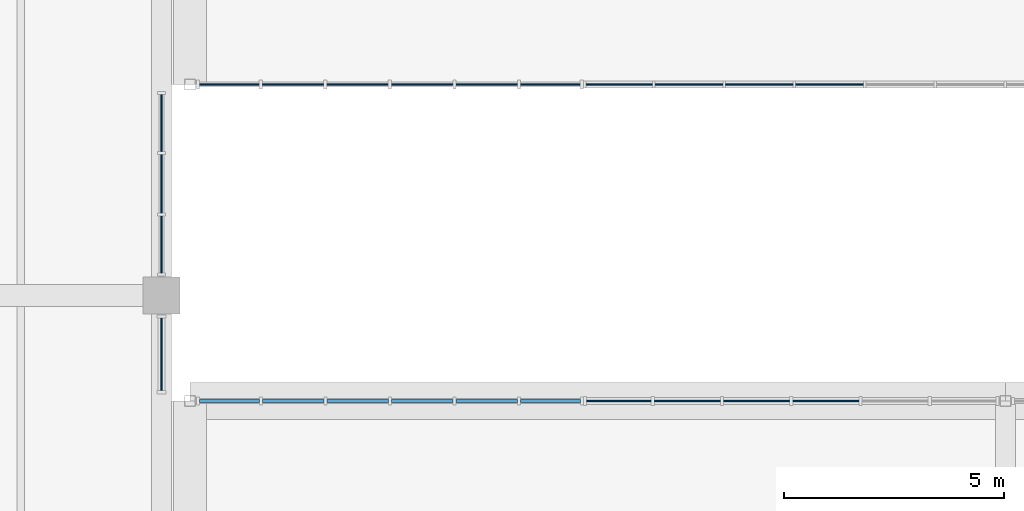
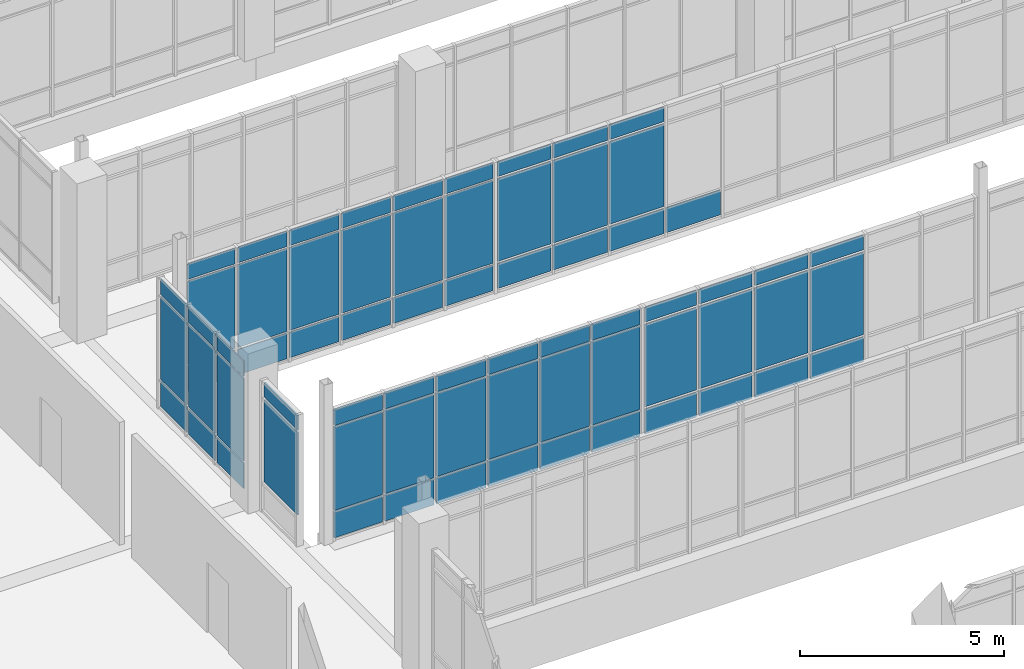
# One storey, part 98 of 152: 69 plates, 6 elements without a shape of their own.
"""IFC4 building model written with IfcOpenShell, lengths in metres."""

from ifc_helpers import new_model, si_unit, direction, frame, origin, origin_2d, place, context, subcontext, project, spatial, rectangle, extrude, material, layer, layer_set, type_object, element, aggregate, save


model = new_model("IFC4")

# Units and contexts
model_context = context("Model", 3, precision=1e-05, world=origin(), true_north=direction((0.0, 1.0)))
body_context = subcontext(model_context, "Body", "Model", "MODEL_VIEW")
ifc_project = project(units=[si_unit("LENGTHUNIT", "METRE"), si_unit("AREAUNIT", "SQUARE_METRE"), si_unit("VOLUMEUNIT", "CUBIC_METRE"), si_unit("PLANEANGLEUNIT", "RADIAN"), si_unit("MASSUNIT", "GRAM", prefix="KILO")], contexts=[model_context])

# Site, building, storey
site_placement = place(None, origin())
site = spatial("IfcSite", under=ifc_project, at=site_placement, CompositionType="ELEMENT")
building_placement = place(site_placement, origin())
building = spatial("IfcBuilding", under=site, at=building_placement, Name="Oolite Switchyard Hospital", CompositionType="ELEMENT")
storey_placement = place(building_placement, frame((0.0, 0.0, 5.10009765625)))
storey = spatial("IfcBuildingStorey", under=building, at=storey_placement, Name="L01", CompositionType="ELEMENT", Elevation=5.10009765625)

# Curtain wall, plates
ifc_material_1 = material(Name="Thermally broken aluminum frame with laminated impact glazing", Category="aluminium")
curtain_wall_type = type_object("IfcCurtainWallType", Name="CW-BRG-96X38", PredefinedType="USERDEFINED", material=ifc_material_1)
curtain_wall_1_placement = place(storey_placement, origin())
curtain_wall_1 = element("IfcCurtainWall", 1, at=curtain_wall_1_placement, inside=storey, type_object=curtain_wall_type, Name="L01 Unitised Curtain Wall 120", ObjectType="UNITISED", PredefinedType="USERDEFINED")
ifc_material_2 = material(Name="Insulated fluoropolymer-coated aluminum spandrel panel", Category="aluminium")
ifc_layer_1 = layer(ifc_material_2, 0.070068359375)
ifc_layer_set_1 = layer_set([ifc_layer_1], Name="CW-PNL-SPN70")
plate_type_1 = type_object("IfcPlateType", Name="CW-PNL-SPN70", PredefinedType="CURTAIN_PANEL", material=ifc_layer_set_1)
plate_1_placement = place(storey_placement, frame((145.54345703125, 39.60009765625, 0.06005859375), z_axis=(0.0, 0.0, 1.0), x_axis=(1.0, 0.0, 0.0)))
plate_1 = element("IfcPlate", 2, at=plate_1_placement, type_object=plate_type_1, Name="CW-12 panel 1.1", PredefinedType="CURTAIN_PANEL", context=body_context, shape_type="SweptSolid", body=[
    extrude(rectangle(XDim=1.363037109375, YDim=0.070068359375, at=origin_2d()), origin(), (0.0, 0.0, 1.0), 0.760009765625),
])
plate_2_placement = place(storey_placement, frame((145.54345703125, 39.60009765625, 0.8798828125), z_axis=(0.0, 0.0, 1.0), x_axis=(1.0, 0.0, 0.0)))
plate_2 = element("IfcPlate", 3, at=plate_2_placement, type_object=plate_type_1, Name="CW-12 panel 1.2", PredefinedType="CURTAIN_PANEL", context=body_context, shape_type="SweptSolid", body=[
    extrude(rectangle(XDim=1.363037109375, YDim=0.070068359375, at=origin_2d()), origin(), (0.0, 0.0, 1.0), 2.47998046875),
])
plate_3_placement = place(storey_placement, frame((145.54345703125, 39.60009765625, 3.419921875), z_axis=(0.0, 0.0, 1.0), x_axis=(1.0, 0.0, 0.0)))
plate_3 = element("IfcPlate", 4, at=plate_3_placement, type_object=plate_type_1, Name="CW-12 panel 1.3", PredefinedType="CURTAIN_PANEL", context=body_context, shape_type="SweptSolid", body=[
    extrude(rectangle(XDim=1.363037109375, YDim=0.070068359375, at=origin_2d()), origin(), (0.0, 0.0, 1.0), 0.4599609375),
])
plate_4_placement = place(storey_placement, frame((146.993896484375, 39.60009765625, 0.06005859375), z_axis=(0.0, 0.0, 1.0), x_axis=(1.0, 0.0, 0.0)))
plate_4 = element("IfcPlate", 5, at=plate_4_placement, type_object=plate_type_1, Name="CW-12 panel 2.1", PredefinedType="CURTAIN_PANEL", context=body_context, shape_type="SweptSolid", body=[
    extrude(rectangle(XDim=1.39794921875, YDim=0.070068359375, at=origin_2d()), origin(), (0.0, 0.0, 1.0), 0.760009765625),
])
plate_5_placement = place(storey_placement, frame((146.993896484375, 39.60009765625, 0.8798828125), z_axis=(0.0, 0.0, 1.0), x_axis=(1.0, 0.0, 0.0)))
plate_5 = element("IfcPlate", 6, at=plate_5_placement, type_object=plate_type_1, Name="CW-12 panel 2.2", PredefinedType="CURTAIN_PANEL", context=body_context, shape_type="SweptSolid", body=[
    extrude(rectangle(XDim=1.39794921875, YDim=0.070068359375, at=origin_2d()), origin(), (0.0, 0.0, 1.0), 2.47998046875),
])
plate_6_placement = place(storey_placement, frame((146.993896484375, 39.60009765625, 3.419921875), z_axis=(0.0, 0.0, 1.0), x_axis=(1.0, 0.0, 0.0)))
plate_6 = element("IfcPlate", 7, at=plate_6_placement, type_object=plate_type_1, Name="CW-12 panel 2.3", PredefinedType="CURTAIN_PANEL", context=body_context, shape_type="SweptSolid", body=[
    extrude(rectangle(XDim=1.39794921875, YDim=0.070068359375, at=origin_2d()), origin(), (0.0, 0.0, 1.0), 0.4599609375),
])
plate_7_placement = place(storey_placement, frame((148.4619140625, 39.60009765625, 0.06005859375), z_axis=(0.0, 0.0, 1.0), x_axis=(1.0, 0.0, 0.0)))
plate_7 = element("IfcPlate", 8, at=plate_7_placement, type_object=plate_type_1, Name="CW-12 panel 3.1", PredefinedType="CURTAIN_PANEL", context=body_context, shape_type="SweptSolid", body=[
    extrude(rectangle(XDim=1.39794921875, YDim=0.070068359375, at=origin_2d()), origin(), (0.0, 0.0, 1.0), 0.760009765625),
])
plate_8_placement = place(storey_placement, frame((148.4619140625, 39.60009765625, 0.8798828125), z_axis=(0.0, 0.0, 1.0), x_axis=(1.0, 0.0, 0.0)))
plate_8 = element("IfcPlate", 9, at=plate_8_placement, type_object=plate_type_1, Name="CW-12 panel 3.2", PredefinedType="CURTAIN_PANEL", context=body_context, shape_type="SweptSolid", body=[
    extrude(rectangle(XDim=1.39794921875, YDim=0.070068359375, at=origin_2d()), origin(), (0.0, 0.0, 1.0), 2.47998046875),
])
plate_9_placement = place(storey_placement, frame((148.4619140625, 39.60009765625, 3.419921875), z_axis=(0.0, 0.0, 1.0), x_axis=(1.0, 0.0, 0.0)))
plate_9 = element("IfcPlate", 10, at=plate_9_placement, type_object=plate_type_1, Name="CW-12 panel 3.3", PredefinedType="CURTAIN_PANEL", context=body_context, shape_type="SweptSolid", body=[
    extrude(rectangle(XDim=1.39794921875, YDim=0.070068359375, at=origin_2d()), origin(), (0.0, 0.0, 1.0), 0.4599609375),
])
plate_10_placement = place(storey_placement, frame((149.929931640625, 39.60009765625, 0.06005859375), z_axis=(0.0, 0.0, 1.0), x_axis=(1.0, 0.0, 0.0)))
plate_10 = element("IfcPlate", 11, at=plate_10_placement, type_object=plate_type_1, Name="CW-12 panel 4.1", PredefinedType="CURTAIN_PANEL", context=body_context, shape_type="SweptSolid", body=[
    extrude(rectangle(XDim=1.39794921875, YDim=0.070068359375, at=origin_2d()), origin(), (0.0, 0.0, 1.0), 0.760009765625),
])
plate_11_placement = place(storey_placement, frame((149.929931640625, 39.60009765625, 0.8798828125), z_axis=(0.0, 0.0, 1.0), x_axis=(1.0, 0.0, 0.0)))
plate_11 = element("IfcPlate", 12, at=plate_11_placement, type_object=plate_type_1, Name="CW-12 panel 4.2", PredefinedType="CURTAIN_PANEL", context=body_context, shape_type="SweptSolid", body=[
    extrude(rectangle(XDim=1.39794921875, YDim=0.070068359375, at=origin_2d()), origin(), (0.0, 0.0, 1.0), 2.47998046875),
])
plate_12_placement = place(storey_placement, frame((149.929931640625, 39.60009765625, 3.419921875), z_axis=(0.0, 0.0, 1.0), x_axis=(1.0, 0.0, 0.0)))
plate_12 = element("IfcPlate", 13, at=plate_12_placement, type_object=plate_type_1, Name="CW-12 panel 4.3", PredefinedType="CURTAIN_PANEL", context=body_context, shape_type="SweptSolid", body=[
    extrude(rectangle(XDim=1.39794921875, YDim=0.070068359375, at=origin_2d()), origin(), (0.0, 0.0, 1.0), 0.4599609375),
])
plate_13_placement = place(storey_placement, frame((151.39794921875, 39.60009765625, 0.06005859375), z_axis=(0.0, 0.0, 1.0), x_axis=(1.0, 0.0, 0.0)))
plate_13 = element("IfcPlate", 14, at=plate_13_placement, type_object=plate_type_1, Name="CW-12 panel 5.1", PredefinedType="CURTAIN_PANEL", context=body_context, shape_type="SweptSolid", body=[
    extrude(rectangle(XDim=1.39794921875, YDim=0.070068359375, at=origin_2d()), origin(), (0.0, 0.0, 1.0), 0.760009765625),
])
plate_14_placement = place(storey_placement, frame((151.39794921875, 39.60009765625, 0.8798828125), z_axis=(0.0, 0.0, 1.0), x_axis=(1.0, 0.0, 0.0)))
plate_14 = element("IfcPlate", 15, at=plate_14_placement, type_object=plate_type_1, Name="CW-12 panel 5.2", PredefinedType="CURTAIN_PANEL", context=body_context, shape_type="SweptSolid", body=[
    extrude(rectangle(XDim=1.39794921875, YDim=0.070068359375, at=origin_2d()), origin(), (0.0, 0.0, 1.0), 2.47998046875),
])
plate_15_placement = place(storey_placement, frame((151.39794921875, 39.60009765625, 3.419921875), z_axis=(0.0, 0.0, 1.0), x_axis=(1.0, 0.0, 0.0)))
plate_15 = element("IfcPlate", 16, at=plate_15_placement, type_object=plate_type_1, Name="CW-12 panel 5.3", PredefinedType="CURTAIN_PANEL", context=body_context, shape_type="SweptSolid", body=[
    extrude(rectangle(XDim=1.39794921875, YDim=0.070068359375, at=origin_2d()), origin(), (0.0, 0.0, 1.0), 0.4599609375),
])
plate_16_placement = place(storey_placement, frame((152.848388671875, 39.60009765625, 0.06005859375), z_axis=(0.0, 0.0, 1.0), x_axis=(1.0, 0.0, 0.0)))
plate_16 = element("IfcPlate", 17, at=plate_16_placement, type_object=plate_type_1, Name="CW-12 panel 6.1", PredefinedType="CURTAIN_PANEL", context=body_context, shape_type="SweptSolid", body=[
    extrude(rectangle(XDim=1.363037109375, YDim=0.070068359375, at=origin_2d()), origin(), (0.0, 0.0, 1.0), 0.760009765625),
])
plate_17_placement = place(storey_placement, frame((152.848388671875, 39.60009765625, 0.8798828125), z_axis=(0.0, 0.0, 1.0), x_axis=(1.0, 0.0, 0.0)))
plate_17 = element("IfcPlate", 18, at=plate_17_placement, type_object=plate_type_1, Name="CW-12 panel 6.2", PredefinedType="CURTAIN_PANEL", context=body_context, shape_type="SweptSolid", body=[
    extrude(rectangle(XDim=1.363037109375, YDim=0.070068359375, at=origin_2d()), origin(), (0.0, 0.0, 1.0), 2.47998046875),
])
plate_18_placement = place(storey_placement, frame((152.848388671875, 39.60009765625, 3.419921875), z_axis=(0.0, 0.0, 1.0), x_axis=(1.0, 0.0, 0.0)))
plate_18 = element("IfcPlate", 19, at=plate_18_placement, type_object=plate_type_1, Name="CW-12 panel 6.3", PredefinedType="CURTAIN_PANEL", context=body_context, shape_type="SweptSolid", body=[
    extrude(rectangle(XDim=1.363037109375, YDim=0.070068359375, at=origin_2d()), origin(), (0.0, 0.0, 1.0), 0.4599609375),
])
aggregate(curtain_wall_1, [plate_1, plate_2, plate_3, plate_4, plate_5, plate_6, plate_7, plate_8, plate_9, plate_10, plate_11, plate_12, plate_13, plate_14, plate_15, plate_16, plate_17, plate_18])

curtain_wall_2_placement = place(storey_placement, origin())
curtain_wall_2 = element("IfcCurtainWall", 20, at=curtain_wall_2_placement, inside=storey, type_object=curtain_wall_type, Name="L01 Unitised Curtain Wall 124", ObjectType="UNITISED", PredefinedType="USERDEFINED")
ifc_material_3 = material(Name="Laminated hurricane-impact insulated glazing unit", Category="glass")
ifc_layer_2 = layer(ifc_material_3, 0.028076171875)
ifc_layer_set_2 = layer_set([ifc_layer_2], Name="CW-PNL-VIS28")
plate_type_2 = type_object("IfcPlateType", Name="CW-PNL-VIS28", PredefinedType="CURTAIN_PANEL", material=ifc_layer_set_2)
plate_19_placement = place(storey_placement, frame((152.84716796875, 46.800048828125, 0.06005859375), z_axis=(0.0, 0.0, 1.0), x_axis=(-1.0, 0.0, 0.0)))
plate_19 = element("IfcPlate", 21, at=plate_19_placement, type_object=plate_type_2, Name="CW-12 panel 1.1", PredefinedType="CURTAIN_PANEL", context=body_context, shape_type="SweptSolid", body=[
    extrude(rectangle(XDim=1.35546875, YDim=0.028076171875, at=origin_2d()), origin(), (0.0, 0.0, 1.0), 0.760009765625),
])
plate_20_placement = place(storey_placement, frame((152.84716796875, 46.800048828125, 0.8798828125), z_axis=(0.0, 0.0, 1.0), x_axis=(-1.0, 0.0, 0.0)))
plate_20 = element("IfcPlate", 22, at=plate_20_placement, type_object=plate_type_2, Name="CW-12 panel 1.2", PredefinedType="CURTAIN_PANEL", context=body_context, shape_type="SweptSolid", body=[
    extrude(rectangle(XDim=1.35546875, YDim=0.028076171875, at=origin_2d()), origin(), (0.0, 0.0, 1.0), 2.47998046875),
])
plate_21_placement = place(storey_placement, frame((152.84716796875, 46.800048828125, 3.419921875), z_axis=(0.0, 0.0, 1.0), x_axis=(-1.0, 0.0, 0.0)))
plate_21 = element("IfcPlate", 23, at=plate_21_placement, type_object=plate_type_2, Name="CW-12 panel 1.3", PredefinedType="CURTAIN_PANEL", context=body_context, shape_type="SweptSolid", body=[
    extrude(rectangle(XDim=1.35546875, YDim=0.028076171875, at=origin_2d()), origin(), (0.0, 0.0, 1.0), 0.4599609375),
])
plate_22_placement = place(storey_placement, frame((151.39794921875, 46.800048828125, 0.06005859375), z_axis=(0.0, 0.0, 1.0), x_axis=(-1.0, 0.0, 0.0)))
plate_22 = element("IfcPlate", 24, at=plate_22_placement, type_object=plate_type_2, Name="CW-12 panel 2.1", PredefinedType="CURTAIN_PANEL", context=body_context, shape_type="SweptSolid", body=[
    extrude(rectangle(XDim=1.39306640625, YDim=0.028076171875, at=origin_2d()), origin(), (0.0, 0.0, 1.0), 0.760009765625),
])
plate_23_placement = place(storey_placement, frame((151.39794921875, 46.800048828125, 0.8798828125), z_axis=(0.0, 0.0, 1.0), x_axis=(-1.0, 0.0, 0.0)))
plate_23 = element("IfcPlate", 25, at=plate_23_placement, type_object=plate_type_2, Name="CW-12 panel 2.2", PredefinedType="CURTAIN_PANEL", context=body_context, shape_type="SweptSolid", body=[
    extrude(rectangle(XDim=1.39306640625, YDim=0.028076171875, at=origin_2d()), origin(), (0.0, 0.0, 1.0), 2.47998046875),
])
plate_24_placement = place(storey_placement, frame((151.39794921875, 46.800048828125, 3.419921875), z_axis=(0.0, 0.0, 1.0), x_axis=(-1.0, 0.0, 0.0)))
plate_24 = element("IfcPlate", 26, at=plate_24_placement, type_object=plate_type_2, Name="CW-12 panel 2.3", PredefinedType="CURTAIN_PANEL", context=body_context, shape_type="SweptSolid", body=[
    extrude(rectangle(XDim=1.39306640625, YDim=0.028076171875, at=origin_2d()), origin(), (0.0, 0.0, 1.0), 0.4599609375),
])
plate_25_placement = place(storey_placement, frame((149.929931640625, 46.800048828125, 0.06005859375), z_axis=(0.0, 0.0, 1.0), x_axis=(-1.0, 0.0, 0.0)))
plate_25 = element("IfcPlate", 27, at=plate_25_placement, type_object=plate_type_2, Name="CW-12 panel 3.1", PredefinedType="CURTAIN_PANEL", context=body_context, shape_type="SweptSolid", body=[
    extrude(rectangle(XDim=1.39306640625, YDim=0.028076171875, at=origin_2d()), origin(), (0.0, 0.0, 1.0), 0.760009765625),
])
plate_26_placement = place(storey_placement, frame((149.929931640625, 46.800048828125, 0.8798828125), z_axis=(0.0, 0.0, 1.0), x_axis=(-1.0, 0.0, 0.0)))
plate_26 = element("IfcPlate", 28, at=plate_26_placement, type_object=plate_type_2, Name="CW-12 panel 3.2", PredefinedType="CURTAIN_PANEL", context=body_context, shape_type="SweptSolid", body=[
    extrude(rectangle(XDim=1.39306640625, YDim=0.028076171875, at=origin_2d()), origin(), (0.0, 0.0, 1.0), 2.47998046875),
])
plate_27_placement = place(storey_placement, frame((149.929931640625, 46.800048828125, 3.419921875), z_axis=(0.0, 0.0, 1.0), x_axis=(-1.0, 0.0, 0.0)))
plate_27 = element("IfcPlate", 29, at=plate_27_placement, type_object=plate_type_2, Name="CW-12 panel 3.3", PredefinedType="CURTAIN_PANEL", context=body_context, shape_type="SweptSolid", body=[
    extrude(rectangle(XDim=1.39306640625, YDim=0.028076171875, at=origin_2d()), origin(), (0.0, 0.0, 1.0), 0.4599609375),
])
plate_28_placement = place(storey_placement, frame((148.4619140625, 46.800048828125, 0.06005859375), z_axis=(0.0, 0.0, 1.0), x_axis=(-1.0, 0.0, 0.0)))
plate_28 = element("IfcPlate", 30, at=plate_28_placement, type_object=plate_type_2, Name="CW-12 panel 4.1", PredefinedType="CURTAIN_PANEL", context=body_context, shape_type="SweptSolid", body=[
    extrude(rectangle(XDim=1.39306640625, YDim=0.028076171875, at=origin_2d()), origin(), (0.0, 0.0, 1.0), 0.760009765625),
])
plate_29_placement = place(storey_placement, frame((148.4619140625, 46.800048828125, 0.8798828125), z_axis=(0.0, 0.0, 1.0), x_axis=(-1.0, 0.0, 0.0)))
plate_29 = element("IfcPlate", 31, at=plate_29_placement, type_object=plate_type_2, Name="CW-12 panel 4.2", PredefinedType="CURTAIN_PANEL", context=body_context, shape_type="SweptSolid", body=[
    extrude(rectangle(XDim=1.39306640625, YDim=0.028076171875, at=origin_2d()), origin(), (0.0, 0.0, 1.0), 2.47998046875),
])
plate_30_placement = place(storey_placement, frame((148.4619140625, 46.800048828125, 3.419921875), z_axis=(0.0, 0.0, 1.0), x_axis=(-1.0, 0.0, 0.0)))
plate_30 = element("IfcPlate", 32, at=plate_30_placement, type_object=plate_type_2, Name="CW-12 panel 4.3", PredefinedType="CURTAIN_PANEL", context=body_context, shape_type="SweptSolid", body=[
    extrude(rectangle(XDim=1.39306640625, YDim=0.028076171875, at=origin_2d()), origin(), (0.0, 0.0, 1.0), 0.4599609375),
])
plate_31_placement = place(storey_placement, frame((146.993896484375, 46.800048828125, 0.06005859375), z_axis=(0.0, 0.0, 1.0), x_axis=(-1.0, 0.0, 0.0)))
plate_31 = element("IfcPlate", 33, at=plate_31_placement, type_object=plate_type_2, Name="CW-12 panel 5.1", PredefinedType="CURTAIN_PANEL", context=body_context, shape_type="SweptSolid", body=[
    extrude(rectangle(XDim=1.39306640625, YDim=0.028076171875, at=origin_2d()), origin(), (0.0, 0.0, 1.0), 0.760009765625),
])
plate_32_placement = place(storey_placement, frame((146.993896484375, 46.800048828125, 0.8798828125), z_axis=(0.0, 0.0, 1.0), x_axis=(-1.0, 0.0, 0.0)))
plate_32 = element("IfcPlate", 34, at=plate_32_placement, type_object=plate_type_2, Name="CW-12 panel 5.2", PredefinedType="CURTAIN_PANEL", context=body_context, shape_type="SweptSolid", body=[
    extrude(rectangle(XDim=1.39306640625, YDim=0.028076171875, at=origin_2d()), origin(), (0.0, 0.0, 1.0), 2.47998046875),
])
plate_33_placement = place(storey_placement, frame((146.993896484375, 46.800048828125, 3.419921875), z_axis=(0.0, 0.0, 1.0), x_axis=(-1.0, 0.0, 0.0)))
plate_33 = element("IfcPlate", 35, at=plate_33_placement, type_object=plate_type_2, Name="CW-12 panel 5.3", PredefinedType="CURTAIN_PANEL", context=body_context, shape_type="SweptSolid", body=[
    extrude(rectangle(XDim=1.39306640625, YDim=0.028076171875, at=origin_2d()), origin(), (0.0, 0.0, 1.0), 0.4599609375),
])
plate_34_placement = place(storey_placement, frame((145.544677734375, 46.800048828125, 0.06005859375), z_axis=(0.0, 0.0, 1.0), x_axis=(-1.0, 0.0, 0.0)))
plate_34 = element("IfcPlate", 36, at=plate_34_placement, type_object=plate_type_2, Name="CW-12 panel 6.1", PredefinedType="CURTAIN_PANEL", context=body_context, shape_type="SweptSolid", body=[
    extrude(rectangle(XDim=1.35546875, YDim=0.028076171875, at=origin_2d()), origin(), (0.0, 0.0, 1.0), 0.760009765625),
])
plate_35_placement = place(storey_placement, frame((145.544677734375, 46.800048828125, 0.8798828125), z_axis=(0.0, 0.0, 1.0), x_axis=(-1.0, 0.0, 0.0)))
plate_35 = element("IfcPlate", 37, at=plate_35_placement, type_object=plate_type_2, Name="CW-12 panel 6.2", PredefinedType="CURTAIN_PANEL", context=body_context, shape_type="SweptSolid", body=[
    extrude(rectangle(XDim=1.35546875, YDim=0.028076171875, at=origin_2d()), origin(), (0.0, 0.0, 1.0), 2.47998046875),
])
plate_36_placement = place(storey_placement, frame((145.544677734375, 46.800048828125, 3.419921875), z_axis=(0.0, 0.0, 1.0), x_axis=(-1.0, 0.0, 0.0)))
plate_36 = element("IfcPlate", 38, at=plate_36_placement, type_object=plate_type_2, Name="CW-12 panel 6.3", PredefinedType="CURTAIN_PANEL", context=body_context, shape_type="SweptSolid", body=[
    extrude(rectangle(XDim=1.35546875, YDim=0.028076171875, at=origin_2d()), origin(), (0.0, 0.0, 1.0), 0.4599609375),
])
aggregate(curtain_wall_2, [plate_19, plate_20, plate_21, plate_22, plate_23, plate_24, plate_25, plate_26, plate_27, plate_28, plate_29, plate_30, plate_31, plate_32, plate_33, plate_34, plate_35, plate_36])

curtain_wall_3_placement = place(storey_placement, origin())
curtain_wall_3 = element("IfcCurtainWall", 39, at=curtain_wall_3_placement, inside=storey, type_object=curtain_wall_type, Name="L01 Unitised Curtain Wall 121", ObjectType="UNITISED", PredefinedType="USERDEFINED")
ifc_layer_3 = layer(ifc_material_3, 0.031982421875)
ifc_layer_set_3 = layer_set([ifc_layer_3], Name="CW-PNL-VIS32")
plate_type_3 = type_object("IfcPlateType", Name="CW-PNL-VIS32", PredefinedType="CURTAIN_PANEL", material=ifc_layer_set_3)
plate_37_placement = place(storey_placement, frame((154.406982421875, 39.60009765625, 0.07470703125), z_axis=(0.0, 0.0, 1.0), x_axis=(1.0, 0.0, 0.0)))
plate_37 = element("IfcPlate", 40, at=plate_37_placement, type_object=plate_type_3, Name="CW-12 panel 1.1", PredefinedType="CURTAIN_PANEL", context=body_context, shape_type="SweptSolid", body=[
    extrude(rectangle(XDim=1.4638671875, YDim=0.031982421875, at=origin_2d()), origin(), (0.0, 0.0, 1.0), 0.737548828125),
])
plate_38_placement = place(storey_placement, frame((154.406982421875, 39.60009765625, 0.88720703125), z_axis=(0.0, 0.0, 1.0), x_axis=(1.0, 0.0, 0.0)))
plate_38 = element("IfcPlate", 41, at=plate_38_placement, type_object=plate_type_3, Name="CW-12 panel 1.2", PredefinedType="CURTAIN_PANEL", context=body_context, shape_type="SweptSolid", body=[
    extrude(rectangle(XDim=1.4638671875, YDim=0.031982421875, at=origin_2d()), origin(), (0.0, 0.0, 1.0), 2.465087890625),
])
plate_39_placement = place(storey_placement, frame((154.406982421875, 39.60009765625, 3.427490234375), z_axis=(0.0, 0.0, 1.0), x_axis=(1.0, 0.0, 0.0)))
plate_39 = element("IfcPlate", 42, at=plate_39_placement, type_object=plate_type_3, Name="CW-12 panel 1.3", PredefinedType="CURTAIN_PANEL", context=body_context, shape_type="SweptSolid", body=[
    extrude(rectangle(XDim=1.4638671875, YDim=0.031982421875, at=origin_2d()), origin(), (0.0, 0.0, 1.0), 0.4375),
])
plate_40_placement = place(storey_placement, frame((155.964599609375, 39.60009765625, 0.07470703125), z_axis=(0.0, 0.0, 1.0), x_axis=(1.0, 0.0, 0.0)))
plate_40 = element("IfcPlate", 43, at=plate_40_placement, type_object=plate_type_3, Name="CW-12 panel 2.1", PredefinedType="CURTAIN_PANEL", context=body_context, shape_type="SweptSolid", body=[
    extrude(rectangle(XDim=1.501220703125, YDim=0.031982421875, at=origin_2d()), origin(), (0.0, 0.0, 1.0), 0.737548828125),
])
plate_41_placement = place(storey_placement, frame((155.964599609375, 39.60009765625, 0.88720703125), z_axis=(0.0, 0.0, 1.0), x_axis=(1.0, 0.0, 0.0)))
plate_41 = element("IfcPlate", 44, at=plate_41_placement, type_object=plate_type_3, Name="CW-12 panel 2.2", PredefinedType="CURTAIN_PANEL", context=body_context, shape_type="SweptSolid", body=[
    extrude(rectangle(XDim=1.501220703125, YDim=0.031982421875, at=origin_2d()), origin(), (0.0, 0.0, 1.0), 2.465087890625),
])
plate_42_placement = place(storey_placement, frame((155.964599609375, 39.60009765625, 3.427490234375), z_axis=(0.0, 0.0, 1.0), x_axis=(1.0, 0.0, 0.0)))
plate_42 = element("IfcPlate", 45, at=plate_42_placement, type_object=plate_type_3, Name="CW-12 panel 2.3", PredefinedType="CURTAIN_PANEL", context=body_context, shape_type="SweptSolid", body=[
    extrude(rectangle(XDim=1.501220703125, YDim=0.031982421875, at=origin_2d()), origin(), (0.0, 0.0, 1.0), 0.4375),
])
plate_43_placement = place(storey_placement, frame((157.540771484375, 39.60009765625, 0.07470703125), z_axis=(0.0, 0.0, 1.0), x_axis=(1.0, 0.0, 0.0)))
plate_43 = element("IfcPlate", 46, at=plate_43_placement, type_object=plate_type_3, Name="CW-12 panel 3.1", PredefinedType="CURTAIN_PANEL", context=body_context, shape_type="SweptSolid", body=[
    extrude(rectangle(XDim=1.501220703125, YDim=0.031982421875, at=origin_2d()), origin(), (0.0, 0.0, 1.0), 0.737548828125),
])
plate_44_placement = place(storey_placement, frame((157.540771484375, 39.60009765625, 0.88720703125), z_axis=(0.0, 0.0, 1.0), x_axis=(1.0, 0.0, 0.0)))
plate_44 = element("IfcPlate", 47, at=plate_44_placement, type_object=plate_type_3, Name="CW-12 panel 3.2", PredefinedType="CURTAIN_PANEL", context=body_context, shape_type="SweptSolid", body=[
    extrude(rectangle(XDim=1.501220703125, YDim=0.031982421875, at=origin_2d()), origin(), (0.0, 0.0, 1.0), 2.465087890625),
])
plate_45_placement = place(storey_placement, frame((157.540771484375, 39.60009765625, 3.427490234375), z_axis=(0.0, 0.0, 1.0), x_axis=(1.0, 0.0, 0.0)))
plate_45 = element("IfcPlate", 48, at=plate_45_placement, type_object=plate_type_3, Name="CW-12 panel 3.3", PredefinedType="CURTAIN_PANEL", context=body_context, shape_type="SweptSolid", body=[
    extrude(rectangle(XDim=1.501220703125, YDim=0.031982421875, at=origin_2d()), origin(), (0.0, 0.0, 1.0), 0.4375),
])
plate_46_placement = place(storey_placement, frame((159.1171875, 39.60009765625, 0.07470703125), z_axis=(0.0, 0.0, 1.0), x_axis=(1.0, 0.0, 0.0)))
plate_46 = element("IfcPlate", 49, at=plate_46_placement, type_object=plate_type_3, Name="CW-12 panel 4.1", PredefinedType="CURTAIN_PANEL", context=body_context, shape_type="SweptSolid", body=[
    extrude(rectangle(XDim=1.501220703125, YDim=0.031982421875, at=origin_2d()), origin(), (0.0, 0.0, 1.0), 0.737548828125),
])
plate_47_placement = place(storey_placement, frame((159.1171875, 39.60009765625, 0.88720703125), z_axis=(0.0, 0.0, 1.0), x_axis=(1.0, 0.0, 0.0)))
plate_47 = element("IfcPlate", 50, at=plate_47_placement, type_object=plate_type_3, Name="CW-12 panel 4.2", PredefinedType="CURTAIN_PANEL", context=body_context, shape_type="SweptSolid", body=[
    extrude(rectangle(XDim=1.501220703125, YDim=0.031982421875, at=origin_2d()), origin(), (0.0, 0.0, 1.0), 2.465087890625),
])
plate_48_placement = place(storey_placement, frame((159.1171875, 39.60009765625, 3.427490234375), z_axis=(0.0, 0.0, 1.0), x_axis=(1.0, 0.0, 0.0)))
plate_48 = element("IfcPlate", 51, at=plate_48_placement, type_object=plate_type_3, Name="CW-12 panel 4.3", PredefinedType="CURTAIN_PANEL", context=body_context, shape_type="SweptSolid", body=[
    extrude(rectangle(XDim=1.501220703125, YDim=0.031982421875, at=origin_2d()), origin(), (0.0, 0.0, 1.0), 0.4375),
])
aggregate(curtain_wall_3, [plate_37, plate_38, plate_39, plate_40, plate_41, plate_42, plate_43, plate_44, plate_45, plate_46, plate_47, plate_48])

curtain_wall_4_placement = place(storey_placement, origin())
curtain_wall_4 = element("IfcCurtainWall", 52, at=curtain_wall_4_placement, inside=storey, type_object=curtain_wall_type, Name="L01 Unitised Curtain Wall 125", ObjectType="UNITISED", PredefinedType="USERDEFINED")
ifc_layer_4 = layer(ifc_material_3, 0.035888671875)
ifc_layer_set_4 = layer_set([ifc_layer_4], Name="CW-PNL-VIS36")
plate_type_4 = type_object("IfcPlateType", Name="CW-PNL-VIS36", PredefinedType="CURTAIN_PANEL", material=ifc_layer_set_4)
plate_49_placement = place(storey_placement, frame((159.199951171875, 46.800048828125, 0.07470703125), z_axis=(0.0, 0.0, 1.0), x_axis=(-1.0, 0.0, 0.0)))
plate_49 = element("IfcPlate", 53, at=plate_49_placement, type_object=plate_type_4, Name="CW-12 panel 9.1", PredefinedType="CURTAIN_PANEL", context=body_context, shape_type="SweptSolid", body=[
    extrude(rectangle(XDim=1.5400390625, YDim=0.035888671875, at=origin_2d()), origin(), (0.0, 0.0, 1.0), 0.737548828125),
])
plate_50_placement = place(storey_placement, frame((157.60009765625, 46.800048828125, 0.07470703125), z_axis=(0.0, 0.0, 1.0), x_axis=(-1.0, 0.0, 0.0)))
plate_50 = element("IfcPlate", 54, at=plate_50_placement, type_object=plate_type_4, Name="CW-12 panel 10.1", PredefinedType="CURTAIN_PANEL", context=body_context, shape_type="SweptSolid", body=[
    extrude(rectangle(XDim=1.5400390625, YDim=0.035888671875, at=origin_2d()), origin(), (0.0, 0.0, 1.0), 0.737548828125),
])
plate_51_placement = place(storey_placement, frame((157.60009765625, 46.800048828125, 0.88720703125), z_axis=(0.0, 0.0, 1.0), x_axis=(-1.0, 0.0, 0.0)))
plate_51 = element("IfcPlate", 55, at=plate_51_placement, type_object=plate_type_4, Name="CW-12 panel 10.2", PredefinedType="CURTAIN_PANEL", context=body_context, shape_type="SweptSolid", body=[
    extrude(rectangle(XDim=1.5400390625, YDim=0.035888671875, at=origin_2d()), origin(), (0.0, 0.0, 1.0), 2.465087890625),
])
plate_52_placement = place(storey_placement, frame((157.60009765625, 46.800048828125, 3.427490234375), z_axis=(0.0, 0.0, 1.0), x_axis=(-1.0, 0.0, 0.0)))
plate_52 = element("IfcPlate", 56, at=plate_52_placement, type_object=plate_type_4, Name="CW-12 panel 10.3", PredefinedType="CURTAIN_PANEL", context=body_context, shape_type="SweptSolid", body=[
    extrude(rectangle(XDim=1.5400390625, YDim=0.035888671875, at=origin_2d()), origin(), (0.0, 0.0, 1.0), 0.4375),
])
plate_53_placement = place(storey_placement, frame((156.0, 46.800048828125, 0.07470703125), z_axis=(0.0, 0.0, 1.0), x_axis=(-1.0, 0.0, 0.0)))
plate_53 = element("IfcPlate", 57, at=plate_53_placement, type_object=plate_type_4, Name="CW-12 panel 11.1", PredefinedType="CURTAIN_PANEL", context=body_context, shape_type="SweptSolid", body=[
    extrude(rectangle(XDim=1.5400390625, YDim=0.035888671875, at=origin_2d()), origin(), (0.0, 0.0, 1.0), 0.737548828125),
])
plate_54_placement = place(storey_placement, frame((156.0, 46.800048828125, 0.88720703125), z_axis=(0.0, 0.0, 1.0), x_axis=(-1.0, 0.0, 0.0)))
plate_54 = element("IfcPlate", 58, at=plate_54_placement, type_object=plate_type_4, Name="CW-12 panel 11.2", PredefinedType="CURTAIN_PANEL", context=body_context, shape_type="SweptSolid", body=[
    extrude(rectangle(XDim=1.5400390625, YDim=0.035888671875, at=origin_2d()), origin(), (0.0, 0.0, 1.0), 2.465087890625),
])
plate_55_placement = place(storey_placement, frame((156.0, 46.800048828125, 3.427490234375), z_axis=(0.0, 0.0, 1.0), x_axis=(-1.0, 0.0, 0.0)))
plate_55 = element("IfcPlate", 59, at=plate_55_placement, type_object=plate_type_4, Name="CW-12 panel 11.3", PredefinedType="CURTAIN_PANEL", context=body_context, shape_type="SweptSolid", body=[
    extrude(rectangle(XDim=1.5400390625, YDim=0.035888671875, at=origin_2d()), origin(), (0.0, 0.0, 1.0), 0.4375),
])
plate_56_placement = place(storey_placement, frame((154.4150390625, 46.800048828125, 0.07470703125), z_axis=(0.0, 0.0, 1.0), x_axis=(-1.0, 0.0, 0.0)))
plate_56 = element("IfcPlate", 60, at=plate_56_placement, type_object=plate_type_4, Name="CW-12 panel 12.1", PredefinedType="CURTAIN_PANEL", context=body_context, shape_type="SweptSolid", body=[
    extrude(rectangle(XDim=1.510009765625, YDim=0.035888671875, at=origin_2d()), origin(), (0.0, 0.0, 1.0), 0.737548828125),
])
plate_57_placement = place(storey_placement, frame((154.4150390625, 46.800048828125, 0.88720703125), z_axis=(0.0, 0.0, 1.0), x_axis=(-1.0, 0.0, 0.0)))
plate_57 = element("IfcPlate", 61, at=plate_57_placement, type_object=plate_type_4, Name="CW-12 panel 12.2", PredefinedType="CURTAIN_PANEL", context=body_context, shape_type="SweptSolid", body=[
    extrude(rectangle(XDim=1.510009765625, YDim=0.035888671875, at=origin_2d()), origin(), (0.0, 0.0, 1.0), 2.465087890625),
])
plate_58_placement = place(storey_placement, frame((154.4150390625, 46.800048828125, 3.427490234375), z_axis=(0.0, 0.0, 1.0), x_axis=(-1.0, 0.0, 0.0)))
plate_58 = element("IfcPlate", 62, at=plate_58_placement, type_object=plate_type_4, Name="CW-12 panel 12.3", PredefinedType="CURTAIN_PANEL", context=body_context, shape_type="SweptSolid", body=[
    extrude(rectangle(XDim=1.510009765625, YDim=0.035888671875, at=origin_2d()), origin(), (0.0, 0.0, 1.0), 0.4375),
])
aggregate(curtain_wall_4, [plate_49, plate_50, plate_51, plate_52, plate_53, plate_54, plate_55, plate_56, plate_57, plate_58])

curtain_wall_5_placement = place(storey_placement, origin())
curtain_wall_5 = element("IfcCurtainWall", 63, at=curtain_wall_5_placement, inside=storey, type_object=curtain_wall_type, Name="L01 Unitised Curtain Wall 192", ObjectType="UNITISED", PredefinedType="USERDEFINED")
plate_59_placement = place(storey_placement, frame((144.0, 45.922607421875, 0.06005859375), z_axis=(0.0, 0.0, 1.0), x_axis=(0.0, -1.0, 0.0)))
plate_59 = element("IfcPlate", 64, at=plate_59_placement, type_object=plate_type_4, Name="CW-12 panel 1.1", PredefinedType="CURTAIN_PANEL", context=body_context, shape_type="SweptSolid", body=[
    extrude(rectangle(XDim=1.294921875, YDim=0.035888671875, at=origin_2d()), origin(), (0.0, 0.0, 1.0), 0.760009765625),
])
plate_60_placement = place(storey_placement, frame((144.0, 45.922607421875, 0.8798828125), z_axis=(0.0, 0.0, 1.0), x_axis=(0.0, -1.0, 0.0)))
plate_60 = element("IfcPlate", 65, at=plate_60_placement, type_object=plate_type_4, Name="CW-12 panel 1.2", PredefinedType="CURTAIN_PANEL", context=body_context, shape_type="SweptSolid", body=[
    extrude(rectangle(XDim=1.294921875, YDim=0.035888671875, at=origin_2d()), origin(), (0.0, 0.0, 1.0), 2.47998046875),
])
plate_61_placement = place(storey_placement, frame((144.0, 45.922607421875, 3.419921875), z_axis=(0.0, 0.0, 1.0), x_axis=(0.0, -1.0, 0.0)))
plate_61 = element("IfcPlate", 66, at=plate_61_placement, type_object=plate_type_4, Name="CW-12 panel 1.3", PredefinedType="CURTAIN_PANEL", context=body_context, shape_type="SweptSolid", body=[
    extrude(rectangle(XDim=1.294921875, YDim=0.035888671875, at=origin_2d()), origin(), (0.0, 0.0, 1.0), 0.4599609375),
])
plate_62_placement = place(storey_placement, frame((144.0, 44.5400390625, 0.06005859375), z_axis=(0.0, 0.0, 1.0), x_axis=(0.0, -1.0, 0.0)))
plate_62 = element("IfcPlate", 67, at=plate_62_placement, type_object=plate_type_4, Name="CW-12 panel 2.1", PredefinedType="CURTAIN_PANEL", context=body_context, shape_type="SweptSolid", body=[
    extrude(rectangle(XDim=1.330078125, YDim=0.035888671875, at=origin_2d()), origin(), (0.0, 0.0, 1.0), 0.760009765625),
])
plate_63_placement = place(storey_placement, frame((144.0, 44.5400390625, 0.8798828125), z_axis=(0.0, 0.0, 1.0), x_axis=(0.0, -1.0, 0.0)))
plate_63 = element("IfcPlate", 68, at=plate_63_placement, type_object=plate_type_4, Name="CW-12 panel 2.2", PredefinedType="CURTAIN_PANEL", context=body_context, shape_type="SweptSolid", body=[
    extrude(rectangle(XDim=1.330078125, YDim=0.035888671875, at=origin_2d()), origin(), (0.0, 0.0, 1.0), 2.47998046875),
])
plate_64_placement = place(storey_placement, frame((144.0, 44.5400390625, 3.419921875), z_axis=(0.0, 0.0, 1.0), x_axis=(0.0, -1.0, 0.0)))
plate_64 = element("IfcPlate", 69, at=plate_64_placement, type_object=plate_type_4, Name="CW-12 panel 2.3", PredefinedType="CURTAIN_PANEL", context=body_context, shape_type="SweptSolid", body=[
    extrude(rectangle(XDim=1.330078125, YDim=0.035888671875, at=origin_2d()), origin(), (0.0, 0.0, 1.0), 0.4599609375),
])
plate_65_placement = place(storey_placement, frame((144.0, 43.157470703125, 0.06005859375), z_axis=(0.0, 0.0, 1.0), x_axis=(0.0, -1.0, 0.0)))
plate_65 = element("IfcPlate", 70, at=plate_65_placement, type_object=plate_type_4, Name="CW-12 panel 3.1", PredefinedType="CURTAIN_PANEL", context=body_context, shape_type="SweptSolid", body=[
    extrude(rectangle(XDim=1.294921875, YDim=0.035888671875, at=origin_2d()), origin(), (0.0, 0.0, 1.0), 0.760009765625),
])
plate_66_placement = place(storey_placement, frame((144.0, 43.157470703125, 0.8798828125), z_axis=(0.0, 0.0, 1.0), x_axis=(0.0, -1.0, 0.0)))
plate_66 = element("IfcPlate", 71, at=plate_66_placement, type_object=plate_type_4, Name="CW-12 panel 3.2", PredefinedType="CURTAIN_PANEL", context=body_context, shape_type="SweptSolid", body=[
    extrude(rectangle(XDim=1.294921875, YDim=0.035888671875, at=origin_2d()), origin(), (0.0, 0.0, 1.0), 2.47998046875),
])
plate_67_placement = place(storey_placement, frame((144.0, 43.157470703125, 3.419921875), z_axis=(0.0, 0.0, 1.0), x_axis=(0.0, -1.0, 0.0)))
plate_67 = element("IfcPlate", 72, at=plate_67_placement, type_object=plate_type_4, Name="CW-12 panel 3.3", PredefinedType="CURTAIN_PANEL", context=body_context, shape_type="SweptSolid", body=[
    extrude(rectangle(XDim=1.294921875, YDim=0.035888671875, at=origin_2d()), origin(), (0.0, 0.0, 1.0), 0.4599609375),
])
aggregate(curtain_wall_5, [plate_59, plate_60, plate_61, plate_62, plate_63, plate_64, plate_65, plate_66, plate_67])

curtain_wall_6_placement = place(storey_placement, origin())
curtain_wall_6 = element("IfcCurtainWall", 73, at=curtain_wall_6_placement, inside=storey, type_object=curtain_wall_type, Name="L01 Unitised Curtain Wall 193", ObjectType="UNITISED", PredefinedType="USERDEFINED")
ifc_layer_5 = layer(ifc_material_3, 0.0419921875)
ifc_layer_set_5 = layer_set([ifc_layer_5], Name="CW-PNL-VIS42")
plate_type_5 = type_object("IfcPlateType", Name="CW-PNL-VIS42", PredefinedType="CURTAIN_PANEL", material=ifc_layer_set_5)
plate_68_placement = place(storey_placement, frame((144.0, 40.659912109375, 0.88720703125), z_axis=(0.0, 0.0, 1.0), x_axis=(0.0, -1.0, 0.0)))
plate_68 = element("IfcPlate", 74, at=plate_68_placement, type_object=plate_type_5, Name="CW-12 panel 1.2", PredefinedType="CURTAIN_PANEL", context=body_context, shape_type="SweptSolid", body=[
    extrude(rectangle(XDim=1.64990234375, YDim=0.0419921875, at=origin_2d()), origin(), (0.0, 0.0, 1.0), 2.465087890625),
])
plate_69_placement = place(storey_placement, frame((144.0, 40.659912109375, 3.427490234375), z_axis=(0.0, 0.0, 1.0), x_axis=(0.0, -1.0, 0.0)))
plate_69 = element("IfcPlate", 75, at=plate_69_placement, type_object=plate_type_5, Name="CW-12 panel 1.3", PredefinedType="CURTAIN_PANEL", context=body_context, shape_type="SweptSolid", body=[
    extrude(rectangle(XDim=1.64990234375, YDim=0.0419921875, at=origin_2d()), origin(), (0.0, 0.0, 1.0), 0.4375),
])
aggregate(curtain_wall_6, [plate_68, plate_69])

save(model, "model.ifc")
